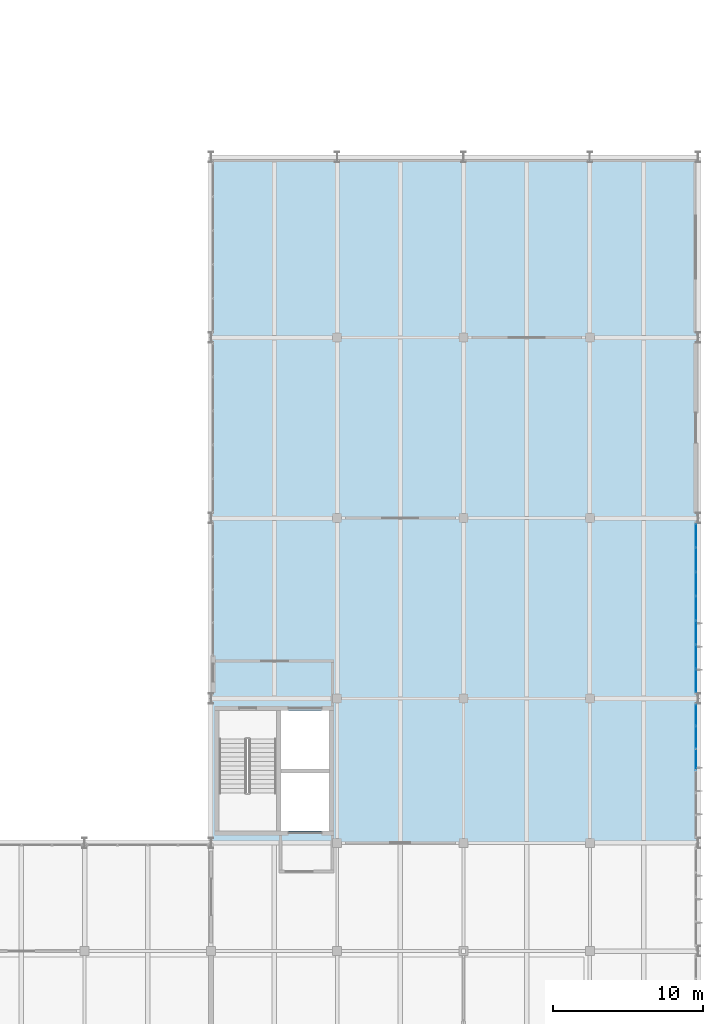
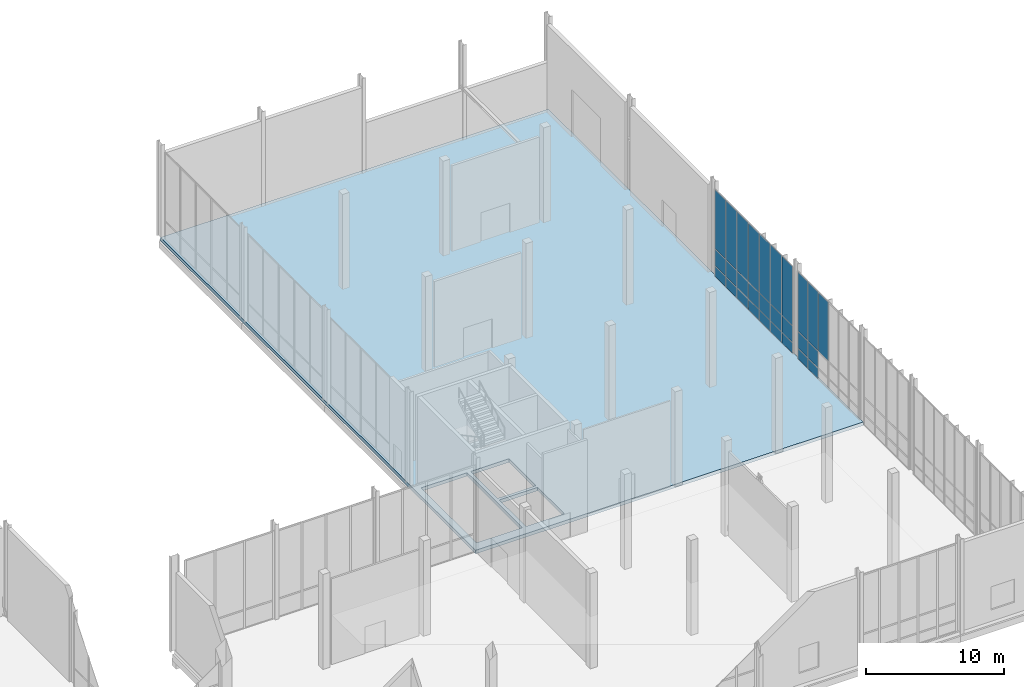
# One storey, part 108 of 131: 28 plates, 1 slab, 2 elements without a shape of their own.
"""IFC4 building model written with IfcOpenShell, lengths in metres."""

from ifc_helpers import new_model, si_unit, direction, frame, origin, origin_2d, place, context, subcontext, project, spatial, polyline, rectangle, outline, extrude, material, layer, layer_set, type_object, element, aggregate, save


model = new_model("IFC4")

# Units and contexts
model_context = context("Model", 3, precision=1e-05, world=origin(), true_north=direction((0.0, 1.0)))
body_context = subcontext(model_context, "Body", "Model", "MODEL_VIEW")
ifc_project = project(units=[si_unit("LENGTHUNIT", "METRE"), si_unit("AREAUNIT", "SQUARE_METRE"), si_unit("VOLUMEUNIT", "CUBIC_METRE"), si_unit("PLANEANGLEUNIT", "RADIAN"), si_unit("MASSUNIT", "GRAM", prefix="KILO")], contexts=[model_context])

# Site, building, storey
site_placement = place(None, origin())
site = spatial("IfcSite", under=ifc_project, at=site_placement, CompositionType="ELEMENT")
building_placement = place(site_placement, origin())
building = spatial("IfcBuilding", under=site, at=building_placement, Name="Veltarok Museum of Natural Sciences", CompositionType="ELEMENT")
storey_placement = place(building_placement, origin())
storey = spatial("IfcBuildingStorey", under=building, at=storey_placement, Name="L00", CompositionType="ELEMENT", Elevation=0.0)

# Slab
ifc_material_1 = material(Name="Concrete C35/45", Category="concrete")
ifc_layer_1 = layer(ifc_material_1, 0.300048828125)
ifc_layer_set_1 = layer_set([ifc_layer_1], Name="Concrete C35/45")
slab_type = type_object("IfcSlabType", Name="Ground Level Heavy Composite Slab 300", PredefinedType="FLOOR", material=ifc_layer_set_1)
slab_placement = place(storey_placement, frame((0.0, 0.0, -0.300048828125)))
element("IfcSlab", 1, at=slab_placement, inside=storey, type_object=slab_type, Name="Floor Slab L00 V5E", PredefinedType="FLOOR", context=body_context, shape_type="SweptSolid", body=[
    extrude(outline(polyline([(132.39990234375, 26.39990234375), (132.39990234375, 72.0), (164.800048828125, 72.0), (164.800048828125, 26.39990234375), (132.39990234375, 26.39990234375)]), holes=[polyline([(140.27001953125, 31.050048828125), (137.070068359375, 31.050048828125), (137.070068359375, 27.199951171875), (140.27001953125, 27.199951171875), (140.27001953125, 31.050048828125)]), polyline([(136.77001953125, 35.199951171875), (132.929931640625, 35.199951171875), (132.929931640625, 27.199951171875), (136.77001953125, 27.199951171875), (136.77001953125, 35.199951171875)]), polyline([(140.27001953125, 35.199951171875), (137.070068359375, 35.199951171875), (137.070068359375, 31.300048828125), (140.27001953125, 31.300048828125), (140.27001953125, 35.199951171875)])]), origin(), (0.0, 0.0, 1.0), 0.300048828125),
])

# Curtain wall, plates
ifc_material_2 = material(Name="Low-iron triple insulated glass", Category="glass")
curtain_wall_type_1 = type_object("IfcCurtainWallType", Name="Curtain Wall System CW-V5E-L00-D-890x778 (V5 East Lab L00 D-E 890x778cm)", PredefinedType="NOTDEFINED", material=ifc_material_2)
curtain_wall_1_placement = place(storey_placement, origin())
curtain_wall_1 = element("IfcCurtainWall", 2, at=curtain_wall_1_placement, inside=storey, type_object=curtain_wall_type_1, Name="Curtain Wall CW-V5E-L00-D-890x778 CW-0101", PredefinedType="NOTDEFINED")
ifc_layer_2 = layer(ifc_material_2, 0.028076171875)
ifc_layer_set_2 = layer_set([ifc_layer_2], Name="Low-iron triple insulated glass")
plate_type = type_object("IfcPlateType", Name="Triple Low-Iron Glazed Vision Panel 28", PredefinedType="CURTAIN_PANEL", material=ifc_layer_set_2)
plate_1_placement = place(storey_placement, frame((164.64990234375, 31.941650390625, 2.530029296875), z_axis=(0.0, 0.0, 1.0), x_axis=(0.0, 1.0, 0.0)))
plate_1 = element("IfcPlate", 3, at=plate_1_placement, type_object=plate_type, Name="CW-V5E-L00-D-890x778 panel 4.3", PredefinedType="CURTAIN_PANEL", context=body_context, shape_type="SweptSolid", body=[
    extrude(rectangle(XDim=1.42333984375, YDim=0.028076171875, at=origin_2d()), origin(), (0.0, 0.0, 1.0), 5.18994140625),
])
plate_2_placement = place(storey_placement, frame((164.64990234375, 33.425048828125, 0.06005859375), z_axis=(0.0, 0.0, 1.0), x_axis=(0.0, 1.0, 0.0)))
plate_2 = element("IfcPlate", 4, at=plate_2_placement, type_object=plate_type, Name="CW-V5E-L00-D-890x778 panel 5.1", PredefinedType="CURTAIN_PANEL", context=body_context, shape_type="SweptSolid", body=[
    extrude(rectangle(XDim=1.42333984375, YDim=0.028076171875, at=origin_2d()), origin(), (0.0, 0.0, 1.0), 0.909912109375),
])
plate_3_placement = place(storey_placement, frame((164.64990234375, 33.425048828125, 1.030029296875), z_axis=(0.0, 0.0, 1.0), x_axis=(0.0, 1.0, 0.0)))
plate_3 = element("IfcPlate", 5, at=plate_3_placement, type_object=plate_type, Name="CW-V5E-L00-D-890x778 panel 5.2", PredefinedType="CURTAIN_PANEL", context=body_context, shape_type="SweptSolid", body=[
    extrude(rectangle(XDim=1.42333984375, YDim=0.028076171875, at=origin_2d()), origin(), (0.0, 0.0, 1.0), 1.43994140625),
])
plate_4_placement = place(storey_placement, frame((164.64990234375, 33.425048828125, 2.530029296875), z_axis=(0.0, 0.0, 1.0), x_axis=(0.0, 1.0, 0.0)))
plate_4 = element("IfcPlate", 6, at=plate_4_placement, type_object=plate_type, Name="CW-V5E-L00-D-890x778 panel 5.3", PredefinedType="CURTAIN_PANEL", context=body_context, shape_type="SweptSolid", body=[
    extrude(rectangle(XDim=1.42333984375, YDim=0.028076171875, at=origin_2d()), origin(), (0.0, 0.0, 1.0), 5.18994140625),
])
plate_5_placement = place(storey_placement, frame((164.64990234375, 34.893310546875, 0.06005859375), z_axis=(0.0, 0.0, 1.0), x_axis=(0.0, 1.0, 0.0)))
plate_5 = element("IfcPlate", 7, at=plate_5_placement, type_object=plate_type, Name="CW-V5E-L00-D-890x778 panel 6.1", PredefinedType="CURTAIN_PANEL", context=body_context, shape_type="SweptSolid", body=[
    extrude(rectangle(XDim=1.393310546875, YDim=0.028076171875, at=origin_2d()), origin(), (0.0, 0.0, 1.0), 0.909912109375),
])
plate_6_placement = place(storey_placement, frame((164.64990234375, 34.893310546875, 1.030029296875), z_axis=(0.0, 0.0, 1.0), x_axis=(0.0, 1.0, 0.0)))
plate_6 = element("IfcPlate", 8, at=plate_6_placement, type_object=plate_type, Name="CW-V5E-L00-D-890x778 panel 6.2", PredefinedType="CURTAIN_PANEL", context=body_context, shape_type="SweptSolid", body=[
    extrude(rectangle(XDim=1.393310546875, YDim=0.028076171875, at=origin_2d()), origin(), (0.0, 0.0, 1.0), 1.43994140625),
])
plate_7_placement = place(storey_placement, frame((164.64990234375, 34.893310546875, 2.530029296875), z_axis=(0.0, 0.0, 1.0), x_axis=(0.0, 1.0, 0.0)))
plate_7 = element("IfcPlate", 9, at=plate_7_placement, type_object=plate_type, Name="CW-V5E-L00-D-890x778 panel 6.3", PredefinedType="CURTAIN_PANEL", context=body_context, shape_type="SweptSolid", body=[
    extrude(rectangle(XDim=1.393310546875, YDim=0.028076171875, at=origin_2d()), origin(), (0.0, 0.0, 1.0), 5.18994140625),
])
aggregate(curtain_wall_1, [plate_1, plate_2, plate_3, plate_4, plate_5, plate_6, plate_7])

curtain_wall_type_2 = type_object("IfcCurtainWallType", Name="Curtain Wall System CW-V5E-L00-E-1130x778 (V5 East Lab L00 E-F 1130x778cm)", PredefinedType="NOTDEFINED", material=ifc_material_2)
curtain_wall_2_placement = place(storey_placement, origin())
curtain_wall_2 = element("IfcCurtainWall", 10, at=curtain_wall_2_placement, inside=storey, type_object=curtain_wall_type_2, Name="Curtain Wall CW-V5E-L00-E-1130x778 CW-0102", PredefinedType="NOTDEFINED")
plate_8_placement = place(storey_placement, frame((164.64990234375, 37.172119140625, 0.06005859375), z_axis=(0.0, 0.0, 1.0), x_axis=(0.0, 1.0, 0.0)))
plate_8 = element("IfcPlate", 11, at=plate_8_placement, type_object=plate_type, Name="CW-V5E-L00-E-1130x778 panel 1.1", PredefinedType="CURTAIN_PANEL", context=body_context, shape_type="SweptSolid", body=[
    extrude(rectangle(XDim=1.524169921875, YDim=0.028076171875, at=origin_2d()), origin(), (0.0, 0.0, 1.0), 0.909912109375),
])
plate_9_placement = place(storey_placement, frame((164.64990234375, 37.172119140625, 1.030029296875), z_axis=(0.0, 0.0, 1.0), x_axis=(0.0, 1.0, 0.0)))
plate_9 = element("IfcPlate", 12, at=plate_9_placement, type_object=plate_type, Name="CW-V5E-L00-E-1130x778 panel 1.2", PredefinedType="CURTAIN_PANEL", context=body_context, shape_type="SweptSolid", body=[
    extrude(rectangle(XDim=1.524169921875, YDim=0.028076171875, at=origin_2d()), origin(), (0.0, 0.0, 1.0), 1.43994140625),
])
plate_10_placement = place(storey_placement, frame((164.64990234375, 37.172119140625, 2.530029296875), z_axis=(0.0, 0.0, 1.0), x_axis=(0.0, 1.0, 0.0)))
plate_10 = element("IfcPlate", 13, at=plate_10_placement, type_object=plate_type, Name="CW-V5E-L00-E-1130x778 panel 1.3", PredefinedType="CURTAIN_PANEL", context=body_context, shape_type="SweptSolid", body=[
    extrude(rectangle(XDim=1.524169921875, YDim=0.028076171875, at=origin_2d()), origin(), (0.0, 0.0, 1.0), 5.18994140625),
])
plate_11_placement = place(storey_placement, frame((164.64990234375, 38.771484375, 0.06005859375), z_axis=(0.0, 0.0, 1.0), x_axis=(0.0, 1.0, 0.0)))
plate_11 = element("IfcPlate", 14, at=plate_11_placement, type_object=plate_type, Name="CW-V5E-L00-E-1130x778 panel 2.1", PredefinedType="CURTAIN_PANEL", context=body_context, shape_type="SweptSolid", body=[
    extrude(rectangle(XDim=1.55419921875, YDim=0.028076171875, at=origin_2d()), origin(), (0.0, 0.0, 1.0), 0.909912109375),
])
plate_12_placement = place(storey_placement, frame((164.64990234375, 38.771484375, 1.030029296875), z_axis=(0.0, 0.0, 1.0), x_axis=(0.0, 1.0, 0.0)))
plate_12 = element("IfcPlate", 15, at=plate_12_placement, type_object=plate_type, Name="CW-V5E-L00-E-1130x778 panel 2.2", PredefinedType="CURTAIN_PANEL", context=body_context, shape_type="SweptSolid", body=[
    extrude(rectangle(XDim=1.55419921875, YDim=0.028076171875, at=origin_2d()), origin(), (0.0, 0.0, 1.0), 1.43994140625),
])
plate_13_placement = place(storey_placement, frame((164.64990234375, 38.771484375, 2.530029296875), z_axis=(0.0, 0.0, 1.0), x_axis=(0.0, 1.0, 0.0)))
plate_13 = element("IfcPlate", 16, at=plate_13_placement, type_object=plate_type, Name="CW-V5E-L00-E-1130x778 panel 2.3", PredefinedType="CURTAIN_PANEL", context=body_context, shape_type="SweptSolid", body=[
    extrude(rectangle(XDim=1.55419921875, YDim=0.028076171875, at=origin_2d()), origin(), (0.0, 0.0, 1.0), 5.18994140625),
])
plate_14_placement = place(storey_placement, frame((164.64990234375, 40.3857421875, 0.06005859375), z_axis=(0.0, 0.0, 1.0), x_axis=(0.0, 1.0, 0.0)))
plate_14 = element("IfcPlate", 17, at=plate_14_placement, type_object=plate_type, Name="CW-V5E-L00-E-1130x778 panel 3.1", PredefinedType="CURTAIN_PANEL", context=body_context, shape_type="SweptSolid", body=[
    extrude(rectangle(XDim=1.55419921875, YDim=0.028076171875, at=origin_2d()), origin(), (0.0, 0.0, 1.0), 0.909912109375),
])
plate_15_placement = place(storey_placement, frame((164.64990234375, 40.3857421875, 1.030029296875), z_axis=(0.0, 0.0, 1.0), x_axis=(0.0, 1.0, 0.0)))
plate_15 = element("IfcPlate", 18, at=plate_15_placement, type_object=plate_type, Name="CW-V5E-L00-E-1130x778 panel 3.2", PredefinedType="CURTAIN_PANEL", context=body_context, shape_type="SweptSolid", body=[
    extrude(rectangle(XDim=1.55419921875, YDim=0.028076171875, at=origin_2d()), origin(), (0.0, 0.0, 1.0), 1.43994140625),
])
plate_16_placement = place(storey_placement, frame((164.64990234375, 40.3857421875, 2.530029296875), z_axis=(0.0, 0.0, 1.0), x_axis=(0.0, 1.0, 0.0)))
plate_16 = element("IfcPlate", 19, at=plate_16_placement, type_object=plate_type, Name="CW-V5E-L00-E-1130x778 panel 3.3", PredefinedType="CURTAIN_PANEL", context=body_context, shape_type="SweptSolid", body=[
    extrude(rectangle(XDim=1.55419921875, YDim=0.028076171875, at=origin_2d()), origin(), (0.0, 0.0, 1.0), 5.18994140625),
])
plate_17_placement = place(storey_placement, frame((164.64990234375, 42.0, 0.06005859375), z_axis=(0.0, 0.0, 1.0), x_axis=(0.0, 1.0, 0.0)))
plate_17 = element("IfcPlate", 20, at=plate_17_placement, type_object=plate_type, Name="CW-V5E-L00-E-1130x778 panel 4.1", PredefinedType="CURTAIN_PANEL", context=body_context, shape_type="SweptSolid", body=[
    extrude(rectangle(XDim=1.55419921875, YDim=0.028076171875, at=origin_2d()), origin(), (0.0, 0.0, 1.0), 0.909912109375),
])
plate_18_placement = place(storey_placement, frame((164.64990234375, 42.0, 1.030029296875), z_axis=(0.0, 0.0, 1.0), x_axis=(0.0, 1.0, 0.0)))
plate_18 = element("IfcPlate", 21, at=plate_18_placement, type_object=plate_type, Name="CW-V5E-L00-E-1130x778 panel 4.2", PredefinedType="CURTAIN_PANEL", context=body_context, shape_type="SweptSolid", body=[
    extrude(rectangle(XDim=1.55419921875, YDim=0.028076171875, at=origin_2d()), origin(), (0.0, 0.0, 1.0), 1.43994140625),
])
plate_19_placement = place(storey_placement, frame((164.64990234375, 42.0, 2.530029296875), z_axis=(0.0, 0.0, 1.0), x_axis=(0.0, 1.0, 0.0)))
plate_19 = element("IfcPlate", 22, at=plate_19_placement, type_object=plate_type, Name="CW-V5E-L00-E-1130x778 panel 4.3", PredefinedType="CURTAIN_PANEL", context=body_context, shape_type="SweptSolid", body=[
    extrude(rectangle(XDim=1.55419921875, YDim=0.028076171875, at=origin_2d()), origin(), (0.0, 0.0, 1.0), 5.18994140625),
])
plate_20_placement = place(storey_placement, frame((164.64990234375, 43.6142578125, 0.06005859375), z_axis=(0.0, 0.0, 1.0), x_axis=(0.0, 1.0, 0.0)))
plate_20 = element("IfcPlate", 23, at=plate_20_placement, type_object=plate_type, Name="CW-V5E-L00-E-1130x778 panel 5.1", PredefinedType="CURTAIN_PANEL", context=body_context, shape_type="SweptSolid", body=[
    extrude(rectangle(XDim=1.55419921875, YDim=0.028076171875, at=origin_2d()), origin(), (0.0, 0.0, 1.0), 0.909912109375),
])
plate_21_placement = place(storey_placement, frame((164.64990234375, 43.6142578125, 1.030029296875), z_axis=(0.0, 0.0, 1.0), x_axis=(0.0, 1.0, 0.0)))
plate_21 = element("IfcPlate", 24, at=plate_21_placement, type_object=plate_type, Name="CW-V5E-L00-E-1130x778 panel 5.2", PredefinedType="CURTAIN_PANEL", context=body_context, shape_type="SweptSolid", body=[
    extrude(rectangle(XDim=1.55419921875, YDim=0.028076171875, at=origin_2d()), origin(), (0.0, 0.0, 1.0), 1.43994140625),
])
plate_22_placement = place(storey_placement, frame((164.64990234375, 43.6142578125, 2.530029296875), z_axis=(0.0, 0.0, 1.0), x_axis=(0.0, 1.0, 0.0)))
plate_22 = element("IfcPlate", 25, at=plate_22_placement, type_object=plate_type, Name="CW-V5E-L00-E-1130x778 panel 5.3", PredefinedType="CURTAIN_PANEL", context=body_context, shape_type="SweptSolid", body=[
    extrude(rectangle(XDim=1.55419921875, YDim=0.028076171875, at=origin_2d()), origin(), (0.0, 0.0, 1.0), 5.18994140625),
])
plate_23_placement = place(storey_placement, frame((164.64990234375, 45.228515625, 0.06005859375), z_axis=(0.0, 0.0, 1.0), x_axis=(0.0, 1.0, 0.0)))
plate_23 = element("IfcPlate", 26, at=plate_23_placement, type_object=plate_type, Name="CW-V5E-L00-E-1130x778 panel 6.1", PredefinedType="CURTAIN_PANEL", context=body_context, shape_type="SweptSolid", body=[
    extrude(rectangle(XDim=1.55419921875, YDim=0.028076171875, at=origin_2d()), origin(), (0.0, 0.0, 1.0), 0.909912109375),
])
plate_24_placement = place(storey_placement, frame((164.64990234375, 45.228515625, 1.030029296875), z_axis=(0.0, 0.0, 1.0), x_axis=(0.0, 1.0, 0.0)))
plate_24 = element("IfcPlate", 27, at=plate_24_placement, type_object=plate_type, Name="CW-V5E-L00-E-1130x778 panel 6.2", PredefinedType="CURTAIN_PANEL", context=body_context, shape_type="SweptSolid", body=[
    extrude(rectangle(XDim=1.55419921875, YDim=0.028076171875, at=origin_2d()), origin(), (0.0, 0.0, 1.0), 1.43994140625),
])
plate_25_placement = place(storey_placement, frame((164.64990234375, 45.228515625, 2.530029296875), z_axis=(0.0, 0.0, 1.0), x_axis=(0.0, 1.0, 0.0)))
plate_25 = element("IfcPlate", 28, at=plate_25_placement, type_object=plate_type, Name="CW-V5E-L00-E-1130x778 panel 6.3", PredefinedType="CURTAIN_PANEL", context=body_context, shape_type="SweptSolid", body=[
    extrude(rectangle(XDim=1.55419921875, YDim=0.028076171875, at=origin_2d()), origin(), (0.0, 0.0, 1.0), 5.18994140625),
])
plate_26_placement = place(storey_placement, frame((164.64990234375, 46.827880859375, 0.06005859375), z_axis=(0.0, 0.0, 1.0), x_axis=(0.0, 1.0, 0.0)))
plate_26 = element("IfcPlate", 29, at=plate_26_placement, type_object=plate_type, Name="CW-V5E-L00-E-1130x778 panel 7.1", PredefinedType="CURTAIN_PANEL", context=body_context, shape_type="SweptSolid", body=[
    extrude(rectangle(XDim=1.524169921875, YDim=0.028076171875, at=origin_2d()), origin(), (0.0, 0.0, 1.0), 0.909912109375),
])
plate_27_placement = place(storey_placement, frame((164.64990234375, 46.827880859375, 1.030029296875), z_axis=(0.0, 0.0, 1.0), x_axis=(0.0, 1.0, 0.0)))
plate_27 = element("IfcPlate", 30, at=plate_27_placement, type_object=plate_type, Name="CW-V5E-L00-E-1130x778 panel 7.2", PredefinedType="CURTAIN_PANEL", context=body_context, shape_type="SweptSolid", body=[
    extrude(rectangle(XDim=1.524169921875, YDim=0.028076171875, at=origin_2d()), origin(), (0.0, 0.0, 1.0), 1.43994140625),
])
plate_28_placement = place(storey_placement, frame((164.64990234375, 46.827880859375, 2.530029296875), z_axis=(0.0, 0.0, 1.0), x_axis=(0.0, 1.0, 0.0)))
plate_28 = element("IfcPlate", 31, at=plate_28_placement, type_object=plate_type, Name="CW-V5E-L00-E-1130x778 panel 7.3", PredefinedType="CURTAIN_PANEL", context=body_context, shape_type="SweptSolid", body=[
    extrude(rectangle(XDim=1.524169921875, YDim=0.028076171875, at=origin_2d()), origin(), (0.0, 0.0, 1.0), 5.18994140625),
])
aggregate(curtain_wall_2, [plate_8, plate_9, plate_10, plate_11, plate_12, plate_13, plate_14, plate_15, plate_16, plate_17, plate_18, plate_19, plate_20, plate_21, plate_22, plate_23, plate_24, plate_25, plate_26, plate_27, plate_28])

save(model, "model.ifc")
